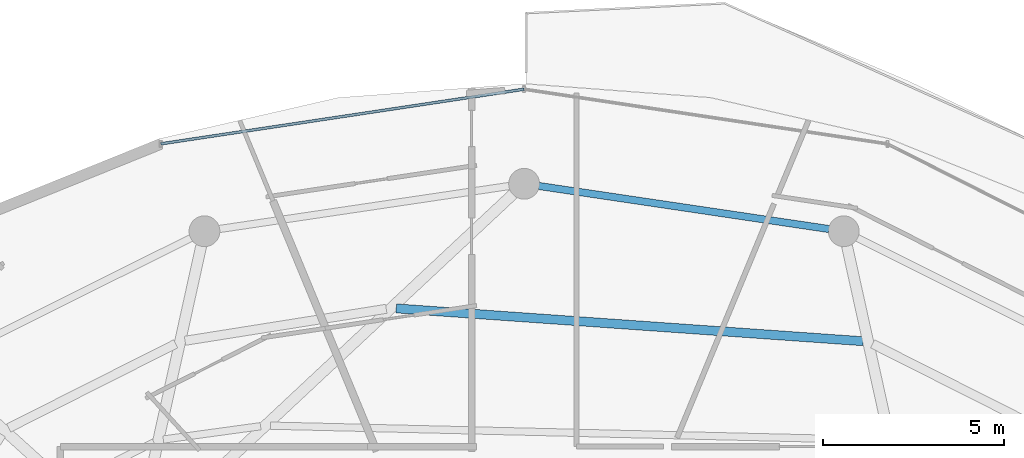
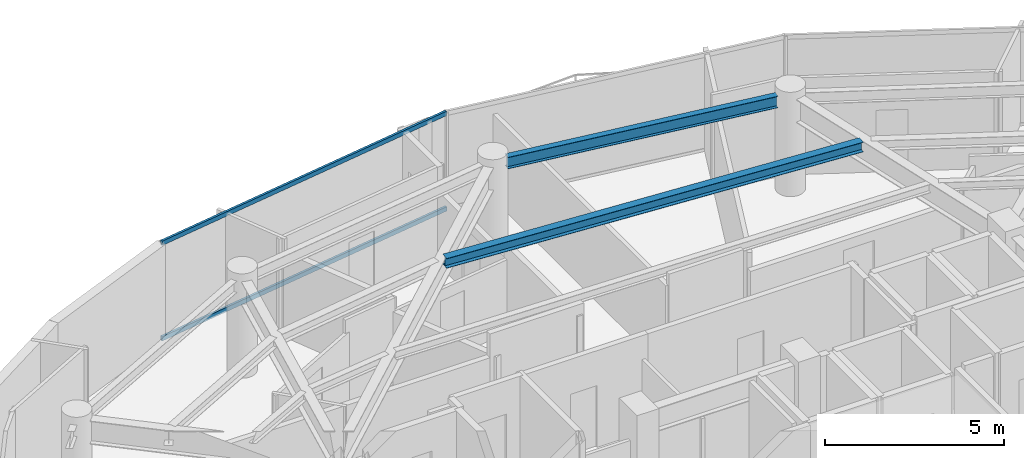
# One storey, part 19 of 31: 2 beams, 2 members, 1 element without a shape of its own.
"""IFC4 building model written with IfcOpenShell, lengths in metres."""

from ifc_helpers import new_model, si_unit, direction, frame, origin, origin_2d, place, context, subcontext, project, spatial, hollow_rectangle, i_section, extrude, material, material_profile, profile_set, type_object, element, aggregate, save


model = new_model("IFC4")

# Units and contexts
model_context = context("Model", 3, precision=1e-05, world=origin(), true_north=direction((0.0, 1.0)))
body_context = subcontext(model_context, "Body", "Model", "MODEL_VIEW")
ifc_project = project(units=[si_unit("LENGTHUNIT", "METRE"), si_unit("AREAUNIT", "SQUARE_METRE"), si_unit("VOLUMEUNIT", "CUBIC_METRE"), si_unit("PLANEANGLEUNIT", "RADIAN"), si_unit("MASSUNIT", "GRAM", prefix="KILO")], contexts=[model_context])

# Site, building, storey
site_placement = place(None, origin())
site = spatial("IfcSite", under=ifc_project, at=site_placement, CompositionType="ELEMENT")
building_placement = place(site_placement, origin())
building = spatial("IfcBuilding", under=site, at=building_placement, Name="Vorneva Point Tower", CompositionType="ELEMENT")
storey_placement = place(building_placement, frame((0.0, 0.0, 266.199951171875)))
storey = spatial("IfcBuildingStorey", under=building, at=storey_placement, Name="L72", CompositionType="ELEMENT", Elevation=266.199951171875)

# Beams
ifc_material_1 = material(Name="Steel S355", Category="steel")
ifc_material_profile_1 = material_profile(ifc_material_1, i_section(OverallWidth=0.2490234375, OverallDepth=0.333984375, WebThickness=0.008056640625, FlangeThickness=0.010986328125, at=origin_2d()), Name="35Sh1")
ifc_profile_set_1 = profile_set([ifc_material_profile_1], Name="Steel S355")
beam_type_1 = type_object("IfcBeamType", Name="BM-SEC-35Sh1", PredefinedType="BEAM", material=ifc_profile_set_1)
beam_1_placement = place(storey_placement, frame((47.355224609375, 38.855224609375, 3.123046875), z_axis=(-0.997535819592, 0.07015902388, 0.0), x_axis=(-0.07015902388, -0.997535819592, 0.0)))
element("IfcBeam", 1, at=beam_1_placement, inside=storey, type_object=beam_type_1, Name="L72 Secondary Floor Beam 1.04", PredefinedType="BEAM", context=body_context, shape_type="SweptSolid", body=[
    extrude(i_section(OverallWidth=0.2490234375, OverallDepth=0.333984375, WebThickness=0.008056640625, FlangeThickness=0.010986328125, at=origin_2d()), origin(), (0.0, 0.0, 1.0), 12.9169921875),
])
ifc_material_profile_2 = material_profile(ifc_material_1, i_section(OverallWidth=0.198974609375, OverallDepth=0.39599609375, WebThickness=0.007080078125, FlangeThickness=0.010986328125, at=origin_2d()), Name="40B1")
ifc_profile_set_2 = profile_set([ifc_material_profile_2], Name="Steel S355")
beam_type_2 = type_object("IfcBeamType", Name="BM-SPN-40B1", PredefinedType="SPANDREL", material=ifc_profile_set_2)
beam_2_placement = place(storey_placement, frame((46.415283203125, 41.950927734375, 3.092041015625), z_axis=(-0.989161657331, 0.146830567886, 0.0), x_axis=(-0.146830567886, -0.989161657331, 0.0)))
element("IfcBeam", 2, at=beam_2_placement, inside=storey, type_object=beam_type_2, Name="L72 Perimeter Spandrel Ring Beam 04", PredefinedType="SPANDREL", context=body_context, shape_type="SweptSolid", body=[
    extrude(i_section(OverallWidth=0.198974609375, OverallDepth=0.39599609375, WebThickness=0.007080078125, FlangeThickness=0.010986328125, at=origin_2d()), origin(), (0.0, 0.0, 1.0), 8.097412109375),
])

# Curtain wall, members
ifc_material_2 = material(Name="Pale anodised aluminium", Category="aluminium")
curtain_wall_type = type_object("IfcCurtainWallType", Name="CW-RES-SYS", PredefinedType="NOTDEFINED", material=ifc_material_2)
curtain_wall_placement = place(storey_placement, origin())
curtain_wall = element("IfcCurtainWall", 3, at=curtain_wall_placement, inside=storey, type_object=curtain_wall_type, Name="L72 Unitised Curtain Wall CW-L72-R02", PredefinedType="NOTDEFINED")
ifc_material_profile_3 = material_profile(ifc_material_2, hollow_rectangle(XDim=0.074951171875, YDim=0.14990234375, WallThickness=0.00390625, at=origin_2d()), Name="AL-TRN 150x75x4")
ifc_profile_set_3 = profile_set([ifc_material_profile_3], Name="Pale anodised aluminium")
member_type = type_object("IfcMemberType", Name="CW-TRN-150", PredefinedType="USERDEFINED", material=ifc_profile_set_3)
member_1_placement = place(storey_placement, frame((38.0, 45.81005859375, 0.02001953125), z_axis=(-0.988876929856, -0.148736066907, 0.0), x_axis=(0.148736066907, -0.988876929856, 0.0)))
member_1 = element("IfcMember", 4, at=member_1_placement, type_object=member_type, Name="CW-L72-R02 Transom 03.1", ObjectType="TRANSOM", PredefinedType="USERDEFINED", context=body_context, shape_type="SweptSolid", body=[
    extrude(hollow_rectangle(XDim=0.074951171875, YDim=0.14990234375, WallThickness=0.00390625, at=origin_2d()), origin(), (0.0, 0.0, 1.0), 10.13916015625),
])
member_2_placement = place(storey_placement, frame((38.0, 45.81005859375, 3.27001953125), z_axis=(-0.988876929856, -0.148736066907, 0.0), x_axis=(0.148736066907, -0.988876929856, 0.0)))
member_2 = element("IfcMember", 5, at=member_2_placement, type_object=member_type, Name="CW-L72-R02 Transom 03.2", ObjectType="TRANSOM", PredefinedType="USERDEFINED", context=body_context, shape_type="SweptSolid", body=[
    extrude(hollow_rectangle(XDim=0.074951171875, YDim=0.14990234375, WallThickness=0.00390625, at=origin_2d()), origin(), (0.0, 0.0, 1.0), 10.13916015625),
])
aggregate(curtain_wall, [member_1, member_2])

save(model, "model.ifc")
